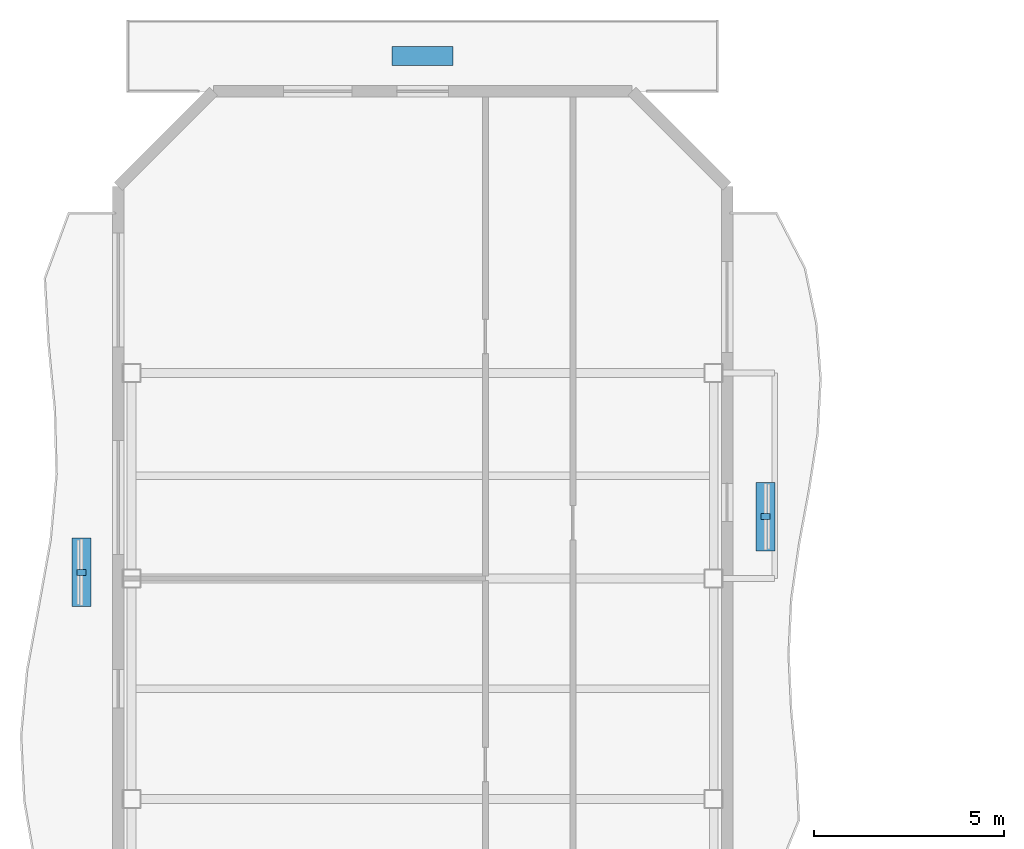
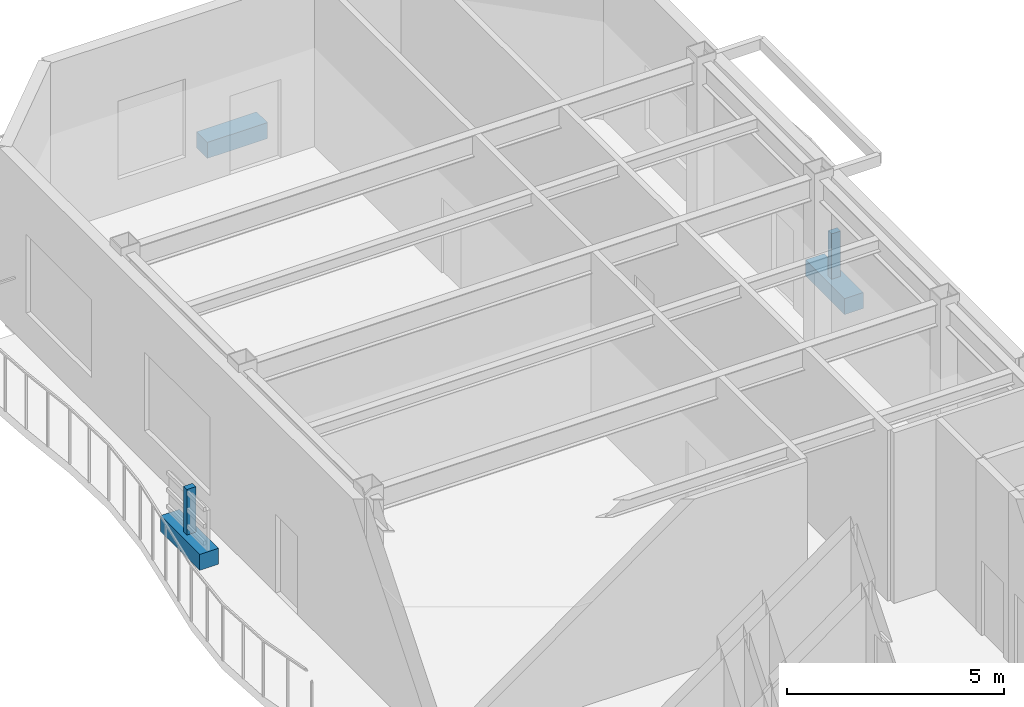
# One storey, part 20 of 23: 5 discrete accessories.
"""IFC4 building model written with IfcOpenShell, lengths in metres."""

from ifc_helpers import new_model, si_unit, direction, frame, origin, origin_2d, place, context, subcontext, project, spatial, rectangle, extrude, material, type_object, element, save


model = new_model("IFC4")

# Units and contexts
model_context = context("Model", 3, precision=1e-05, world=origin(), true_north=direction((0.0, 1.0)))
body_context = subcontext(model_context, "Body", "Model", "MODEL_VIEW")
ifc_project = project(units=[si_unit("LENGTHUNIT", "METRE"), si_unit("AREAUNIT", "SQUARE_METRE"), si_unit("VOLUMEUNIT", "CUBIC_METRE"), si_unit("PLANEANGLEUNIT", "RADIAN"), si_unit("MASSUNIT", "GRAM", prefix="KILO")], contexts=[model_context])

# Site, building, storey
site_placement = place(None, origin())
site = spatial("IfcSite", under=ifc_project, at=site_placement, CompositionType="ELEMENT")
building_placement = place(site_placement, origin())
building = spatial("IfcBuilding", under=site, at=building_placement, Name="Mawjaban Terraces University", CompositionType="ELEMENT")
storey_placement = place(building_placement, frame((0.0, 0.0, 98.39990234375)))
storey = spatial("IfcBuildingStorey", under=building, at=storey_placement, Name="L23", CompositionType="ELEMENT", Elevation=98.39990234375)

# Discrete accessories
ifc_material_1 = material(Name="Stainless steel 316L", Category="steel")
discrete_accessory_type_1 = type_object("IfcDiscreteAccessoryType", Name="FacadeScreenBracket_Steel", PredefinedType="BRACKET", material=ifc_material_1)
for number, where, z_axis, x_axis, name in (
    (1, (21.0400390625, 35.958984375, 0.419921875), (0.0, 0.0, 1.0), (0.0, 1.0, 0.0), "L23 Balcony Screen Support Bracket west"),
    (2, (39.010009765625, 37.425048828125, 0.419921875), (0.0, 0.0, 1.0), (0.0, 1.0, 0.0), "L23 Balcony Screen Support Bracket inner_east"),
):
    element("IfcDiscreteAccessory", number, at=place(storey_placement, frame(where, z_axis=z_axis, x_axis=x_axis)), inside=storey, type_object=discrete_accessory_type_1, Name=name, PredefinedType="BRACKET", context=body_context, shape_type="SweptSolid", body=[
        extrude(rectangle(XDim=0.159912109375, YDim=0.239990234375, at=origin_2d()), origin(), (0.0, 0.0, 1.0), 1.300048828125),
    ])
ifc_material_2 = material(Name="Precast architectural terracotta planter with engineered planting soil", Category="masonry")
discrete_accessory_type_2 = type_object("IfcDiscreteAccessoryType", Name="IrrigatedPlanterTrough_450", PredefinedType="USERDEFINED", material=ifc_material_2)
for number, where, z_axis, x_axis, name in (
    (3, (21.0400390625, 35.958984375, -0.0048828125), (0.0, 0.0, 1.0), (0.0, 1.0, 0.0), "L23 Balcony Irrigated Planter west"),
    (4, (39.010009765625, 37.425048828125, -0.0048828125), (0.0, 0.0, 1.0), (0.0, 1.0, 0.0), "L23 Balcony Irrigated Planter inner_east"),
):
    element("IfcDiscreteAccessory", number, at=place(storey_placement, frame(where, z_axis=z_axis, x_axis=x_axis)), inside=storey, type_object=discrete_accessory_type_2, Name=name, ObjectType="PLANTER", PredefinedType="USERDEFINED", context=body_context, shape_type="SweptSolid", body=[
        extrude(rectangle(XDim=1.800048828125, YDim=0.5, at=origin_2d()), origin(), (0.0, 0.0, 1.0), 0.449951171875),
    ])
discrete_accessory_placement = place(storey_placement, frame((30.0, 49.52490234375, -0.0048828125), z_axis=(0.0, 0.0, 1.0), x_axis=(1.0, 0.0, 0.0)))
element("IfcDiscreteAccessory", 5, at=discrete_accessory_placement, inside=storey, type_object=discrete_accessory_type_2, Name="L23 Terrace Planter TER-L23-NORTH", ObjectType="PLANTER", PredefinedType="USERDEFINED", context=body_context, shape_type="SweptSolid", body=[
    extrude(rectangle(XDim=1.60009765625, YDim=0.5, at=origin_2d()), origin(), (0.0, 0.0, 1.0), 0.449951171875),
])

save(model, "model.ifc")
